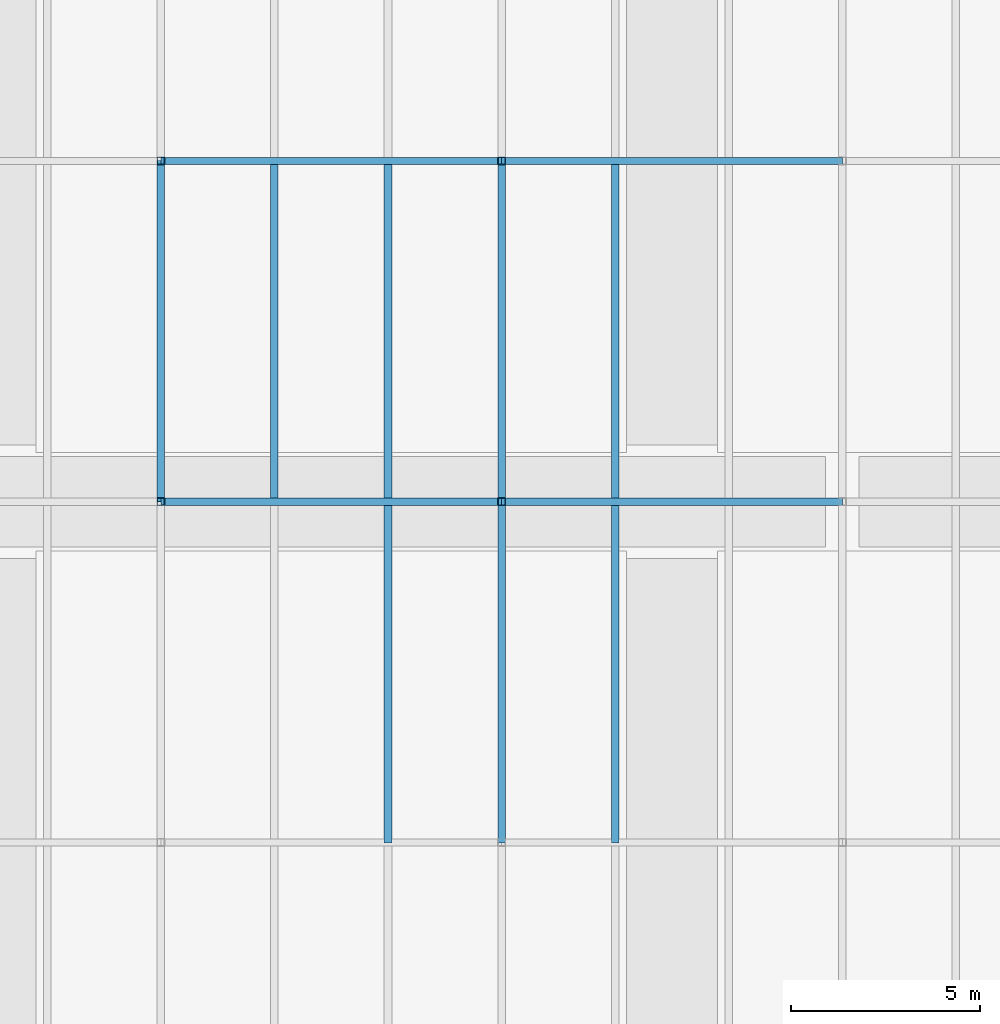
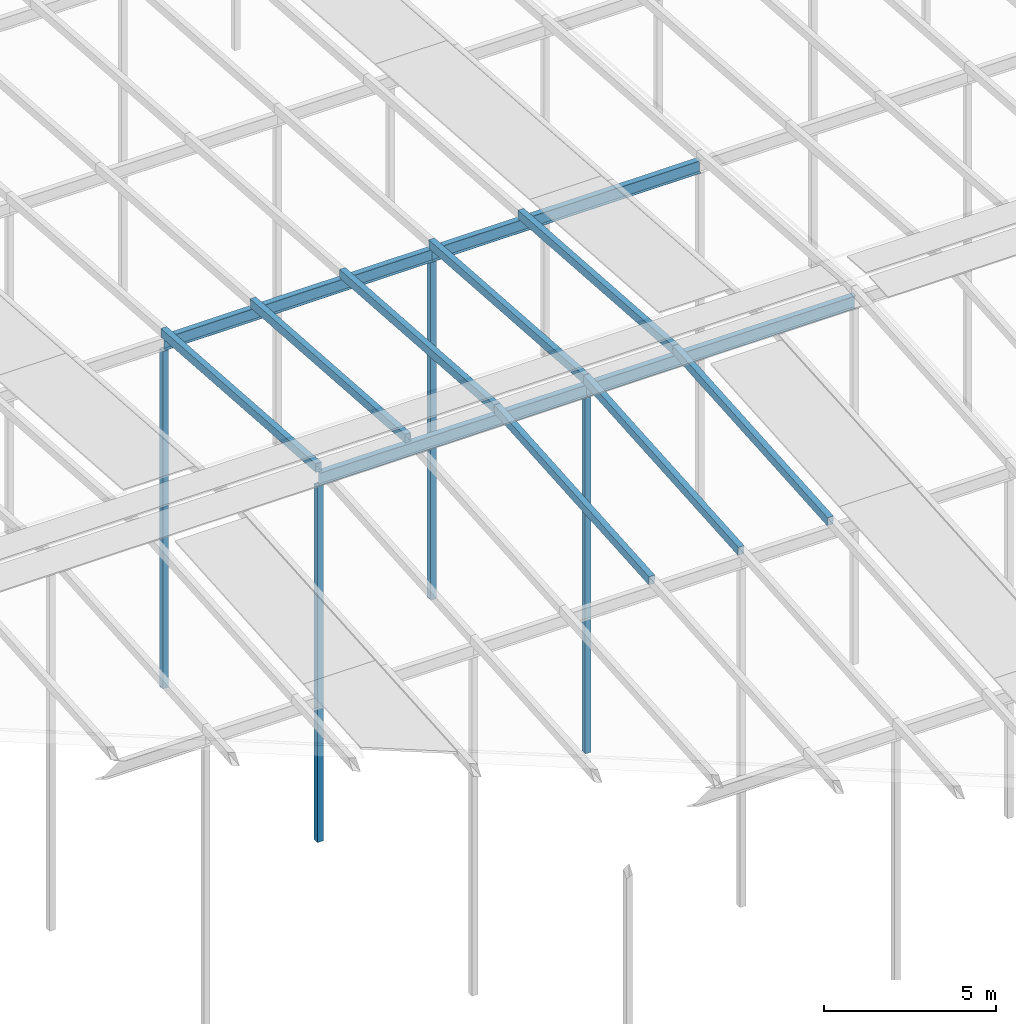
# One storey, part 15 of 84: 12 members, 4 beams.
"""IFC4 building model written with IfcOpenShell, lengths in metres."""

from ifc_helpers import new_model, si_unit, direction, frame, origin, origin_2d, place, context, subcontext, project, spatial, hollow_rectangle, i_section, extrude, material, material_profile, profile_set, type_object, element, save


model = new_model("IFC4")

# Units and contexts
model_context = context("Model", 3, precision=1e-05, world=origin(), true_north=direction((0.0, 1.0)))
body_context = subcontext(model_context, "Body", "Model", "MODEL_VIEW")
ifc_project = project(units=[si_unit("LENGTHUNIT", "METRE"), si_unit("AREAUNIT", "SQUARE_METRE"), si_unit("VOLUMEUNIT", "CUBIC_METRE"), si_unit("PLANEANGLEUNIT", "RADIAN"), si_unit("MASSUNIT", "GRAM", prefix="KILO")], contexts=[model_context])

# Site, building, storey
site_placement = place(None, origin())
site = spatial("IfcSite", under=ifc_project, at=site_placement, CompositionType="ELEMENT")
building_placement = place(site_placement, origin())
building = spatial("IfcBuilding", under=site, at=building_placement, Name="Silverbay Arena", CompositionType="ELEMENT")
storey_placement = place(building_placement, frame((0.0, 0.0, 47.10009765625)))
storey = spatial("IfcBuildingStorey", under=building, at=storey_placement, Name="ROOF", CompositionType="ELEMENT", Elevation=47.10009765625)

# Members
ifc_material_1 = material(Name="Steel S355", Category="steel")
ifc_material_profile_1 = material_profile(ifc_material_1, hollow_rectangle(XDim=0.199951171875, YDim=0.300048828125, WallThickness=0.00634765625, at=origin_2d()), Name="RHS 300x200x6.3")
ifc_profile_set_1 = profile_set([ifc_material_profile_1], Name="Steel S355")
member_type_1 = type_object("IfcMemberType", Name="Purlin RHS 300x200x6.3", PredefinedType="PURLIN", material=ifc_profile_set_1)
for number, where, z_axis, x_axis, name in (
    (1, (117.0, 81.0, 12.6494140625), (0.0, 0.997402911363, -0.072023832195), (-1.0, 0.0, 0.0), "ROOF PURLIN crown line 13 bay 07"),
    (2, (120.0, 81.0, 12.6494140625), (0.0, 0.997402911363, -0.072023832195), (-1.0, 0.0, 0.0), "ROOF PURLIN crown line 14 bay 07"),
    (3, (123.0, 72.0, 11.99951171875), (0.0, 0.997402911363, 0.072023832195), (-1.0, 0.0, 0.0), "ROOF PURLIN crown line 15 bay 06"),
    (4, (123.0, 81.0, 12.6494140625), (0.0, 0.997402911363, -0.072023832195), (-1.0, 0.0, 0.0), "ROOF PURLIN crown line 15 bay 07"),
    (5, (126.0, 72.0, 11.99951171875), (0.0, 0.997402911363, 0.072023832195), (-1.0, 0.0, 0.0), "ROOF PURLIN crown line 16 bay 06"),
    (6, (126.0, 81.0, 12.6494140625), (0.0, 0.997402911363, -0.072023832195), (-1.0, 0.0, 0.0), "ROOF PURLIN crown line 16 bay 07"),
    (7, (129.0, 72.0, 11.99951171875), (0.0, 0.997402911363, 0.072023832195), (-1.0, 0.0, 0.0), "ROOF PURLIN crown line 17 bay 06"),
    (8, (129.0, 81.0, 12.6494140625), (0.0, 0.997402911363, -0.072023832195), (-1.0, 0.0, 0.0), "ROOF PURLIN crown line 17 bay 07"),
):
    element("IfcMember", number, at=place(storey_placement, frame(where, z_axis=z_axis, x_axis=x_axis)), inside=storey, type_object=member_type_1, Name=name, PredefinedType="PURLIN", context=body_context, shape_type="SweptSolid", body=[
        extrude(hollow_rectangle(XDim=0.199951171875, YDim=0.300048828125, WallThickness=0.00634765625, at=origin_2d()), origin(), (0.0, 0.0, 1.0), 9.0234375),
    ])

# Beams
ifc_material_2 = material(Name="Steel S355", Category="steel")
ifc_material_profile_2 = material_profile(ifc_material_2, i_section(OverallWidth=0.18994140625, OverallDepth=0.453369140625, WebThickness=0.008544921875, FlangeThickness=0.0126953125, at=origin_2d()), Name="UB 457x191x67")
ifc_profile_set_2 = profile_set([ifc_material_profile_2], Name="Steel S355")
beam_type = type_object("IfcBeamType", Name="Ring beam UB 457x191x67", PredefinedType="BEAM", material=ifc_profile_set_2)
for number, where, z_axis, x_axis, name in (
    (9, (117.0, 81.0, 12.2724609375), (1.0, 0.0, 0.0), (0.0, 1.0, 0.0), "RING BEAM crown row 07 14-15"),
    (10, (126.0, 81.0, 12.2724609375), (1.0, 0.0, 0.0), (0.0, 1.0, 0.0), "RING BEAM crown row 07 15-16"),
    (11, (117.0, 90.0, 11.622314453125), (1.0, 0.0, 0.0), (0.0, 1.0, 0.0), "RING BEAM crown row 08 14-15"),
    (12, (126.0, 90.0, 11.622314453125), (1.0, 0.0, 0.0), (0.0, 1.0, 0.0), "RING BEAM crown row 08 15-16"),
):
    element("IfcBeam", number, at=place(storey_placement, frame(where, z_axis=z_axis, x_axis=x_axis)), inside=storey, type_object=beam_type, Name=name, PredefinedType="BEAM", context=body_context, shape_type="SweptSolid", body=[
        extrude(i_section(OverallWidth=0.18994140625, OverallDepth=0.453369140625, WebThickness=0.008544921875, FlangeThickness=0.0126953125, at=origin_2d()), origin(), (0.0, 0.0, 1.0), 9.0),
    ])

# Members
ifc_material_3 = material(Name="Steel S355", Category="steel")
ifc_material_profile_3 = material_profile(ifc_material_3, hollow_rectangle(XDim=0.199951171875, YDim=0.199951171875, WallThickness=0.008056640625, at=origin_2d()), Name="SHS 200x200x8")
ifc_profile_set_3 = profile_set([ifc_material_profile_3], Name="Steel S355")
member_type_2 = type_object("IfcMemberType", Name="Roof post SHS 200x200x8", PredefinedType="POST", material=ifc_profile_set_3)
member_1_placement = place(storey_placement, frame((117.0, 81.0, -0.60009765625), z_axis=(0.0, 0.0, 1.0), x_axis=(1.0, 0.0, 0.0)))
element("IfcMember", 13, at=member_1_placement, inside=storey, type_object=member_type_2, Name="ROOF CROWN POST 14 row 07", PredefinedType="POST", context=body_context, shape_type="SweptSolid", body=[
    extrude(hollow_rectangle(XDim=0.199951171875, YDim=0.199951171875, WallThickness=0.008056640625, at=origin_2d()), origin(), (0.0, 0.0, 1.0), 12.645751953125),
])
member_2_placement = place(storey_placement, frame((117.0, 90.0, -0.60009765625), z_axis=(0.0, 0.0, 1.0), x_axis=(1.0, 0.0, 0.0)))
element("IfcMember", 14, at=member_2_placement, inside=storey, type_object=member_type_2, Name="ROOF CROWN POST 14 row 08", PredefinedType="POST", context=body_context, shape_type="SweptSolid", body=[
    extrude(hollow_rectangle(XDim=0.199951171875, YDim=0.199951171875, WallThickness=0.008056640625, at=origin_2d()), origin(), (0.0, 0.0, 1.0), 11.995849609375),
])
member_3_placement = place(storey_placement, frame((126.0, 81.0, -0.60009765625), z_axis=(0.0, 0.0, 1.0), x_axis=(1.0, 0.0, 0.0)))
element("IfcMember", 15, at=member_3_placement, inside=storey, type_object=member_type_2, Name="ROOF CROWN POST 15 row 07", PredefinedType="POST", context=body_context, shape_type="SweptSolid", body=[
    extrude(hollow_rectangle(XDim=0.199951171875, YDim=0.199951171875, WallThickness=0.008056640625, at=origin_2d()), origin(), (0.0, 0.0, 1.0), 12.645751953125),
])
member_4_placement = place(storey_placement, frame((126.0, 90.0, -0.60009765625), z_axis=(0.0, 0.0, 1.0), x_axis=(1.0, 0.0, 0.0)))
element("IfcMember", 16, at=member_4_placement, inside=storey, type_object=member_type_2, Name="ROOF CROWN POST 15 row 08", PredefinedType="POST", context=body_context, shape_type="SweptSolid", body=[
    extrude(hollow_rectangle(XDim=0.199951171875, YDim=0.199951171875, WallThickness=0.008056640625, at=origin_2d()), origin(), (0.0, 0.0, 1.0), 11.995849609375),
])

save(model, "model.ifc")
